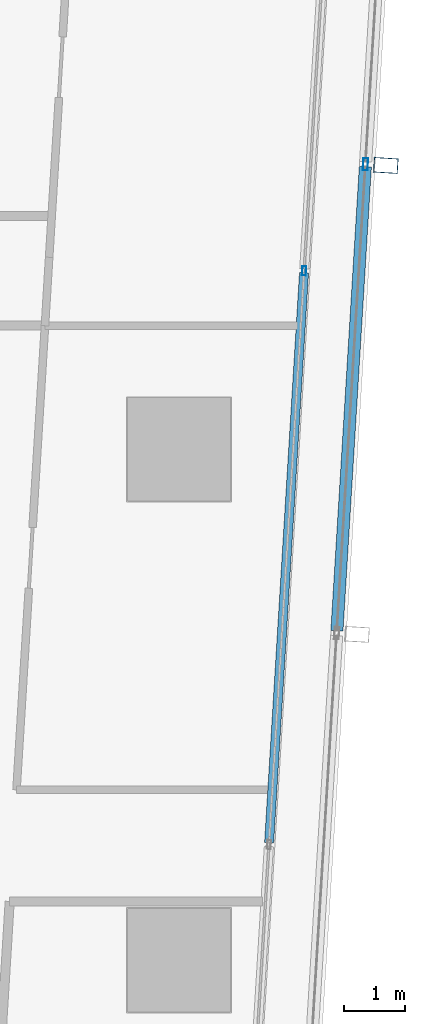
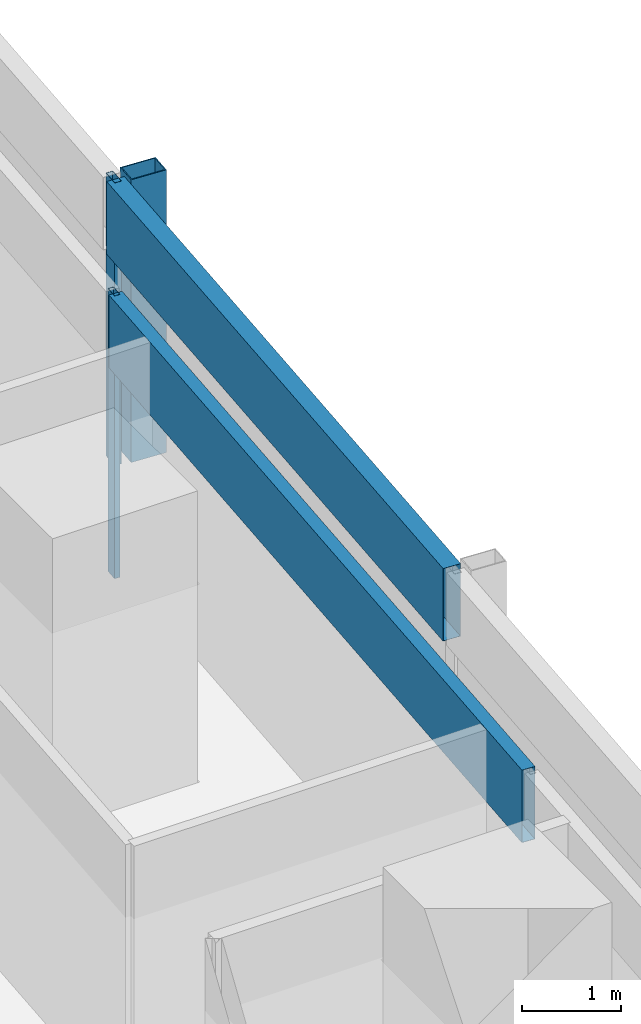
# One storey, part 24 of 40: 5 members, 2 elements without a shape of their own.
"""IFC4 building model written with IfcOpenShell, lengths in metres."""

from ifc_helpers import new_model, si_unit, direction, frame, origin, origin_2d, place, context, subcontext, project, spatial, hollow_rectangle, extrude, material, material_profile, profile_set, type_object, element, aggregate, save


model = new_model("IFC4")

# Units and contexts
model_context = context("Model", 3, precision=1e-05, world=origin(), true_north=direction((0.0, 1.0)))
body_context = subcontext(model_context, "Body", "Model", "MODEL_VIEW")
ifc_project = project(units=[si_unit("LENGTHUNIT", "METRE"), si_unit("AREAUNIT", "SQUARE_METRE"), si_unit("VOLUMEUNIT", "CUBIC_METRE"), si_unit("PLANEANGLEUNIT", "RADIAN"), si_unit("MASSUNIT", "GRAM", prefix="KILO")], contexts=[model_context])

# Site, building, storey
site_placement = place(None, origin())
site = spatial("IfcSite", under=ifc_project, at=site_placement, CompositionType="ELEMENT")
building_placement = place(site_placement, origin())
building = spatial("IfcBuilding", under=site, at=building_placement, Name="Rekha Terrace Tower", CompositionType="ELEMENT")
storey_placement = place(building_placement, frame((0.0, 0.0, 125.300048828125)))
storey = spatial("IfcBuildingStorey", under=building, at=storey_placement, Name="L31", CompositionType="ELEMENT", Elevation=125.300048828125)

# Curtain wall, member
ifc_material_1 = material(Name="Aluminium framing", Category="aluminium")
curtain_wall_type_1 = type_object("IfcCurtainWallType", Name="CW2 double skin outer glazing", PredefinedType="USERDEFINED", material=ifc_material_1)
curtain_wall_1_placement = place(storey_placement, origin())
curtain_wall_1 = element("IfcCurtainWall", 1, at=curtain_wall_1_placement, inside=storey, type_object=curtain_wall_type_1, Name="CW2 double skin outer glazing", ObjectType="DOUBLE SKIN OUTER GLAZING", PredefinedType="USERDEFINED")
ifc_material_2 = material(Name="Steel S355 with fluorocarbon finish", Category="steel")
ifc_material_profile_1 = material_profile(ifc_material_2, hollow_rectangle(XDim=0.25, YDim=0.39990234375, WallThickness=0.012451171875, at=origin_2d()), Name="RHS400x250x12.5")
ifc_profile_set_1 = profile_set([ifc_material_profile_1], Name="Steel S355 with fluorocarbon finish")
member_type_1 = type_object("IfcMemberType", Name="BL1 facade blade RHS 400 x 250", PredefinedType="USERDEFINED", material=ifc_profile_set_1)
member_1_placement = place(storey_placement, frame((70.601318359375, 38.27001953125, 0.0), z_axis=(0.0, 0.0, 1.0), x_axis=(0.061160031881, 0.998127973008, 0.0)))
member_1 = element("IfcMember", 2, at=member_1_placement, type_object=member_type_1, Name="Facade blade", ObjectType="FACADE BLADE", PredefinedType="USERDEFINED", context=body_context, shape_type="SweptSolid", body=[
    extrude(hollow_rectangle(XDim=0.25, YDim=0.39990234375, WallThickness=0.012451171875, at=origin_2d()), origin(), (0.0, 0.0, 1.0), 3.5),
])

# Curtain wall, members
curtain_wall_type_2 = type_object("IfcCurtainWallType", Name="CW1 double skin inner glazing", PredefinedType="USERDEFINED", material=ifc_material_1)
curtain_wall_2_placement = place(storey_placement, origin())
curtain_wall_2 = element("IfcCurtainWall", 3, at=curtain_wall_2_placement, inside=storey, type_object=curtain_wall_type_2, Name="CW1 double skin inner glazing", ObjectType="DOUBLE SKIN INNER GLAZING", PredefinedType="USERDEFINED")
ifc_material_3 = material(Name="Aluminium mullion section", Category="aluminium")
ifc_material_profile_2 = material_profile(ifc_material_3, hollow_rectangle(XDim=0.06494140625, YDim=0.14990234375, WallThickness=0.00390625, at=origin_2d()), Name="AL RHS 65x150")
ifc_profile_set_2 = profile_set([ifc_material_profile_2], Name="Aluminium mullion section")
member_type_2 = type_object("IfcMemberType", Name="CW1 mullion RHS 65 x 150", PredefinedType="MULLION", material=ifc_profile_set_2)
member_2_placement = place(storey_placement, frame((69.257568359375, 36.53662109375, 0.0), z_axis=(0.0, 0.0, 1.0), x_axis=(-0.998127987024, 0.061159803131, 0.0)))
member_2 = element("IfcMember", 4, at=member_2_placement, type_object=member_type_2, Name="CW1 mullion 3", PredefinedType="MULLION", context=body_context, shape_type="SweptSolid", body=[
    extrude(hollow_rectangle(XDim=0.06494140625, YDim=0.14990234375, WallThickness=0.00390625, at=origin_2d()), origin(), (0.0, 0.0, 1.0), 3.5),
])
ifc_material_4 = material(Name="Insulated aluminium spandrel box", Category="aluminium")
ifc_material_profile_3 = material_profile(ifc_material_4, hollow_rectangle(XDim=0.14990234375, YDim=0.89990234375, WallThickness=0.0029296875, at=origin_2d()), Name="AL SPANDREL BOX 150x900")
ifc_profile_set_3 = profile_set([ifc_material_profile_3], Name="Insulated aluminium spandrel box")
member_type_3 = type_object("IfcMemberType", Name="CW1 spandrel transom 150 x 900", PredefinedType="USERDEFINED", material=ifc_profile_set_3)
member_3_placement = place(storey_placement, frame((68.681640625, 27.13427734375, 3.050048828125), z_axis=(0.061141260248, 0.998129123057, 0.0), x_axis=(-0.998129123057, 0.061141260248, 0.0)))
member_3 = element("IfcMember", 5, at=member_3_placement, type_object=member_type_3, Name="CW1 spandrel transom 2", ObjectType="TRANSOM", PredefinedType="USERDEFINED", context=body_context, shape_type="SweptSolid", body=[
    extrude(hollow_rectangle(XDim=0.14990234375, YDim=0.89990234375, WallThickness=0.0029296875, at=origin_2d()), origin(), (0.0, 0.0, 1.0), 9.3876953125),
])
aggregate(curtain_wall_2, [member_2, member_3])

# Member
ifc_material_profile_4 = material_profile(ifc_material_3, hollow_rectangle(XDim=0.080078125, YDim=0.199951171875, WallThickness=0.00390625, at=origin_2d()), Name="AL RHS 80x200")
ifc_profile_set_4 = profile_set([ifc_material_profile_4], Name="Aluminium mullion section")
member_type_4 = type_object("IfcMemberType", Name="CW2 mullion RHS 80 x 200", PredefinedType="MULLION", material=ifc_profile_set_4)
member_4_placement = place(storey_placement, frame((70.266845703125, 38.29052734375, 0.0), z_axis=(0.0, 0.0, 1.0), x_axis=(-0.998127987024, 0.061159803131, 0.0)))
member_4 = element("IfcMember", 6, at=member_4_placement, type_object=member_type_4, Name="CW2 mullion 4", PredefinedType="MULLION", context=body_context, shape_type="SweptSolid", body=[
    extrude(hollow_rectangle(XDim=0.080078125, YDim=0.199951171875, WallThickness=0.00390625, at=origin_2d()), origin(), (0.0, 0.0, 1.0), 3.5),
])

ifc_material_profile_5 = material_profile(ifc_material_4, hollow_rectangle(XDim=0.199951171875, YDim=0.89990234375, WallThickness=0.0029296875, at=origin_2d()), Name="AL SPANDREL BOX 200x900")
ifc_profile_set_5 = profile_set([ifc_material_profile_5], Name="Insulated aluminium spandrel box")
member_type_5 = type_object("IfcMemberType", Name="CW2 spandrel transom 200 x 900", PredefinedType="USERDEFINED", material=ifc_profile_set_5)
member_5_placement = place(storey_placement, frame((69.796630859375, 30.618408203125, 3.050048828125), z_axis=(0.061175629852, 0.998127017124, 0.0), x_axis=(-0.998127017124, 0.061175629852, 0.0)))
member_5 = element("IfcMember", 7, at=member_5_placement, type_object=member_type_5, Name="CW2 spandrel transom 3", ObjectType="TRANSOM", PredefinedType="USERDEFINED", context=body_context, shape_type="SweptSolid", body=[
    extrude(hollow_rectangle(XDim=0.199951171875, YDim=0.89990234375, WallThickness=0.0029296875, at=origin_2d()), origin(), (0.0, 0.0, 1.0), 7.646484375),
])

aggregate(curtain_wall_1, [member_4, member_5, member_1])

save(model, "model.ifc")
